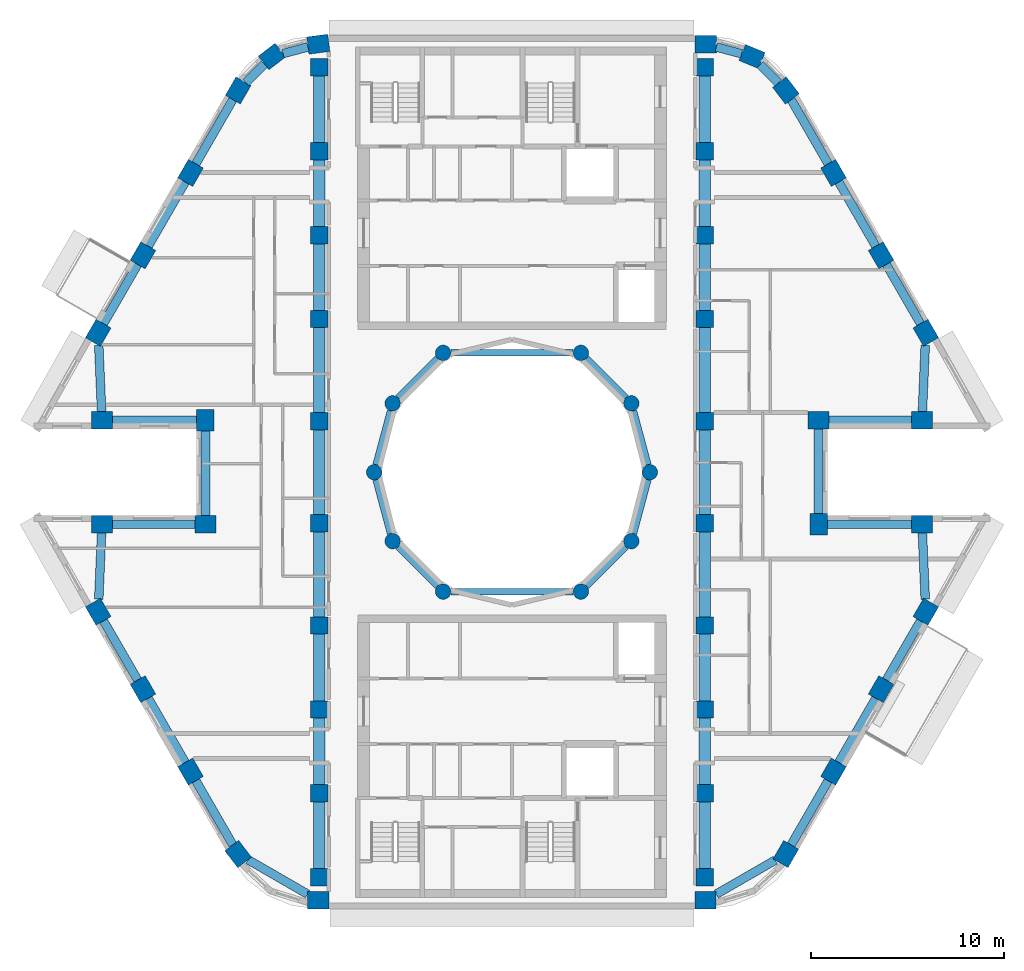
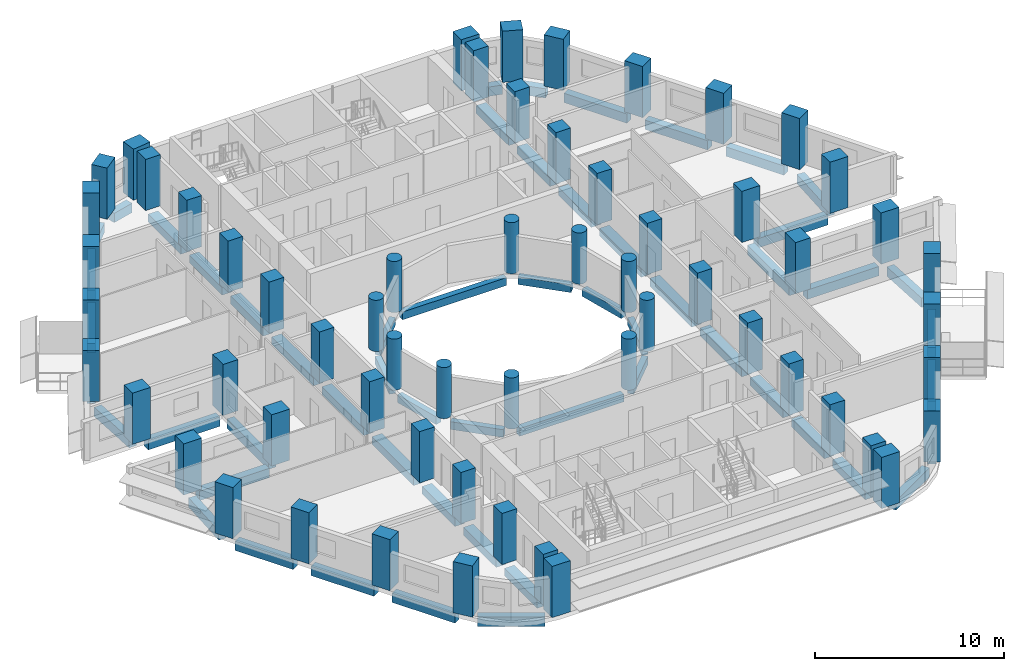
# One storey, part 1 of 14: 60 columns, 56 beams.
"""IFC4 building model written with IfcOpenShell, lengths in metres."""

from ifc_helpers import new_model, si_unit, direction, frame, origin, origin_2d, place, context, subcontext, project, spatial, rectangle, circle, extrude, material, material_profile, profile_set, type_object, element, save


model = new_model("IFC4")

# Units and contexts
model_context = context("Model", 3, precision=1e-05, world=origin(), true_north=direction((0.0, 1.0)))
body_context = subcontext(model_context, "Body", "Model", "MODEL_VIEW")
ifc_project = project(units=[si_unit("LENGTHUNIT", "METRE"), si_unit("AREAUNIT", "SQUARE_METRE"), si_unit("VOLUMEUNIT", "CUBIC_METRE"), si_unit("PLANEANGLEUNIT", "RADIAN"), si_unit("MASSUNIT", "GRAM", prefix="KILO")], contexts=[model_context])

# Site, building, storey
site_placement = place(None, origin())
site = spatial("IfcSite", under=ifc_project, at=site_placement, CompositionType="ELEMENT")
building_placement = place(site_placement, origin())
building = spatial("IfcBuilding", under=site, at=building_placement, Name="Nakaniwa Court", CompositionType="ELEMENT")
storey_placement = place(building_placement, frame((0.0, 0.0, 262.5)))
storey = spatial("IfcBuildingStorey", under=building, at=storey_placement, Name="L69", CompositionType="ELEMENT", Elevation=262.5)

# Columns
ifc_material = material(Name="Concrete C80/100", Category="concrete")
ifc_material_profile_1 = material_profile(ifc_material, rectangle(XDim=1.10009765625, YDim=0.89990234375, at=origin_2d()), Name="Concrete C80/100 RC 1100x900 perimeter column")
ifc_profile_set_1 = profile_set([ifc_material_profile_1], Name="Concrete C80/100")
column_type_1 = type_object("IfcColumnType", Name="Concrete C80/100 RC 1100x900 perimeter column", PredefinedType="COLUMN", material=ifc_profile_set_1)
for number, where, z_axis, x_axis, name in (
    (1, (69.95458984375, 102.199951171875, 0.0), (0.0, 0.0, 1.0), (-0.991442583111, -0.130543496177, 0.0), "COLUMN CO-01"),
    (2, (67.552001953125, 101.560302734375, 0.0), (0.0, 0.0, 1.0), (-0.793363965062, -0.608747582288, 0.0), "COLUMN CO-02"),
    (3, (65.796875, 99.799560546875, 0.0), (0.0, 0.0, 1.0), (-0.5, -0.866025403784, 0.0), "COLUMN CO-03"),
    (4, (63.328857421875, 95.524658203125, 0.0), (0.0, 0.0, 1.0), (-0.5, -0.866025403784, 0.0), "COLUMN CO-04"),
    (5, (60.860595703125, 91.249755859375, 0.0), (0.0, 0.0, 1.0), (-0.5, -0.866025403784, 0.0), "COLUMN CO-05"),
    (6, (58.541015625, 87.232177734375, 0.0), (0.0, 0.0, 1.0), (-0.5, -0.866025403784, 0.0), "COLUMN CO-06"),
    (7, (58.736083984375, 82.699951171875, 0.0), (0.0, 0.0, 1.0), (1.0, 0.0, 0.0), "COLUMN CO-08"),
    (8, (64.1005859375, 82.699951171875, 0.0), (0.0, 0.0, 1.0), (0.0, -1.0, 0.0), "COLUMN CO-09"),
    (9, (64.1005859375, 77.300048828125, 0.0), (0.0, 0.0, 1.0), (-1.0, 0.0, 0.0), "COLUMN CO-10"),
    (10, (58.736083984375, 77.300048828125, 0.0), (0.0, 0.0, 1.0), (-1.0, 0.0, 0.0), "COLUMN CO-11"),
    (11, (58.541015625, 72.767822265625, 0.0), (0.0, 0.0, 1.0), (0.5, -0.866025403784, 0.0), "COLUMN CO-13"),
    (12, (60.860595703125, 68.750244140625, 0.0), (0.0, 0.0, 1.0), (0.5, -0.866025403784, 0.0), "COLUMN CO-14"),
    (13, (63.328857421875, 64.475341796875, 0.0), (0.0, 0.0, 1.0), (0.5, -0.866025403784, 0.0), "COLUMN CO-15"),
    (14, (65.796875, 60.200439453125, 0.0), (0.0, 0.0, 1.0), (0.608761429009, -0.793353340291, 0.0), "COLUMN CO-16"),
    (15, (69.95458984375, 57.800048828125, 0.0), (0.0, 0.0, 1.0), (1.0, 0.0, 0.0), "COLUMN CO-17"),
    (16, (90.03955078125, 57.800048828125, 0.0), (0.0, 0.0, 1.0), (1.0, 0.0, 0.0), "COLUMN CO-21"),
    (17, (94.203125, 60.200439453125, 0.0), (0.0, 0.0, 1.0), (0.5, 0.866025403784, 0.0), "COLUMN CO-22"),
    (18, (96.671142578125, 64.475341796875, 0.0), (0.0, 0.0, 1.0), (0.5, 0.866025403784, 0.0), "COLUMN CO-23"),
    (19, (99.139404296875, 68.750244140625, 0.0), (0.0, 0.0, 1.0), (0.5, 0.866025403784, 0.0), "COLUMN CO-24"),
    (20, (101.458984375, 72.767822265625, 0.0), (0.0, 0.0, 1.0), (0.5, 0.866025403784, 0.0), "COLUMN CO-25"),
    (21, (101.263916015625, 77.300048828125, 0.0), (0.0, 0.0, 1.0), (-1.0, 0.0, 0.0), "COLUMN CO-27"),
    (22, (95.8994140625, 77.300048828125, 0.0), (0.0, 0.0, 1.0), (0.0, 1.0, 0.0), "COLUMN CO-28"),
    (23, (95.8994140625, 82.699951171875, 0.0), (0.0, 0.0, 1.0), (1.0, 0.0, 0.0), "COLUMN CO-29"),
    (24, (101.263916015625, 82.699951171875, 0.0), (0.0, 0.0, 1.0), (1.0, 0.0, 0.0), "COLUMN CO-30"),
    (25, (101.458984375, 87.232177734375, 0.0), (0.0, 0.0, 1.0), (-0.5, 0.866025403784, 0.0), "COLUMN CO-32"),
    (26, (99.139404296875, 91.249755859375, 0.0), (0.0, 0.0, 1.0), (-0.5, 0.866025403784, 0.0), "COLUMN CO-33"),
    (27, (96.671142578125, 95.524658203125, 0.0), (0.0, 0.0, 1.0), (-0.5, 0.866025403784, 0.0), "COLUMN CO-34"),
    (28, (94.203125, 99.799560546875, 0.0), (0.0, 0.0, 1.0), (-0.608761429009, 0.793353340291, 0.0), "COLUMN CO-35"),
    (29, (92.447998046875, 101.560302734375, 0.0), (0.0, 0.0, 1.0), (-0.923879532511, 0.382683432365, 0.0), "COLUMN CO-36"),
    (30, (90.04541015625, 102.199951171875, 0.0), (0.0, 0.0, 1.0), (-1.0, 0.0, 0.0), "COLUMN CO-37"),
):
    element("IfcColumn", number, at=place(storey_placement, frame(where, z_axis=z_axis, x_axis=x_axis)), inside=storey, type_object=column_type_1, Name=name, PredefinedType="COLUMN", context=body_context, shape_type="SweptSolid", body=[
        extrude(rectangle(XDim=1.10009765625, YDim=0.89990234375, at=origin_2d()), origin(), (0.0, 0.0, 1.0), 3.300048828125),
    ])
ifc_material_profile_2 = material_profile(ifc_material, rectangle(XDim=0.89990234375, YDim=0.89990234375, at=origin_2d()), Name="Concrete C80/100 RC 900x900 spine column")
ifc_profile_set_2 = profile_set([ifc_material_profile_2], Name="Concrete C80/100")
column_type_2 = type_object("IfcColumnType", Name="Concrete C80/100 RC 900x900 spine column", PredefinedType="COLUMN", material=ifc_profile_set_2)
for number, where, z_axis, x_axis, name in (
    (31, (90.0, 59.0, 0.0), (0.0, 0.0, 1.0), (0.0, 1.0, 0.0), "COLUMN CS-01"),
    (32, (90.0, 63.35009765625, 0.0), (0.0, 0.0, 1.0), (0.0, 1.0, 0.0), "COLUMN CS-02"),
    (33, (90.0, 67.699951171875, 0.0), (0.0, 0.0, 1.0), (0.0, 1.0, 0.0), "COLUMN CS-03"),
    (34, (90.0, 72.050048828125, 0.0), (0.0, 0.0, 1.0), (0.0, 1.0, 0.0), "COLUMN CS-04"),
    (35, (90.0, 77.35009765625, 0.0), (0.0, 0.0, 1.0), (0.0, 1.0, 0.0), "COLUMN CS-05"),
    (36, (90.0, 82.64990234375, 0.0), (0.0, 0.0, 1.0), (0.0, 1.0, 0.0), "COLUMN CS-06"),
    (37, (90.0, 87.949951171875, 0.0), (0.0, 0.0, 1.0), (0.0, 1.0, 0.0), "COLUMN CS-07"),
    (38, (90.0, 92.300048828125, 0.0), (0.0, 0.0, 1.0), (0.0, 1.0, 0.0), "COLUMN CS-08"),
    (39, (90.0, 96.64990234375, 0.0), (0.0, 0.0, 1.0), (0.0, 1.0, 0.0), "COLUMN CS-09"),
    (40, (90.0, 101.0, 0.0), (0.0, 0.0, 1.0), (0.0, 1.0, 0.0), "COLUMN CS-10"),
    (41, (70.0, 101.0, 0.0), (0.0, 0.0, 1.0), (0.0, -1.0, 0.0), "COLUMN CS-11"),
    (42, (70.0, 96.64990234375, 0.0), (0.0, 0.0, 1.0), (0.0, -1.0, 0.0), "COLUMN CS-12"),
    (43, (70.0, 92.300048828125, 0.0), (0.0, 0.0, 1.0), (0.0, -1.0, 0.0), "COLUMN CS-13"),
    (44, (70.0, 87.949951171875, 0.0), (0.0, 0.0, 1.0), (0.0, -1.0, 0.0), "COLUMN CS-14"),
    (45, (70.0, 82.64990234375, 0.0), (0.0, 0.0, 1.0), (0.0, -1.0, 0.0), "COLUMN CS-15"),
    (46, (70.0, 77.35009765625, 0.0), (0.0, 0.0, 1.0), (0.0, -1.0, 0.0), "COLUMN CS-16"),
    (47, (70.0, 72.050048828125, 0.0), (0.0, 0.0, 1.0), (0.0, -1.0, 0.0), "COLUMN CS-17"),
    (48, (70.0, 67.699951171875, 0.0), (0.0, 0.0, 1.0), (0.0, -1.0, 0.0), "COLUMN CS-18"),
    (49, (70.0, 63.35009765625, 0.0), (0.0, 0.0, 1.0), (0.0, -1.0, 0.0), "COLUMN CS-19"),
    (50, (70.0, 59.0, 0.0), (0.0, 0.0, 1.0), (0.0, -1.0, 0.0), "COLUMN CS-20"),
):
    element("IfcColumn", number, at=place(storey_placement, frame(where, z_axis=z_axis, x_axis=x_axis)), inside=storey, type_object=column_type_2, Name=name, PredefinedType="COLUMN", context=body_context, shape_type="SweptSolid", body=[
        extrude(rectangle(XDim=0.89990234375, YDim=0.89990234375, at=origin_2d()), origin(), (0.0, 0.0, 1.0), 3.300048828125),
    ])
ifc_material_profile_3 = material_profile(ifc_material, circle(Radius=0.39990234375, at=origin_2d()), Name="Concrete C80/100 RC D800 inner ring column")
ifc_profile_set_3 = profile_set([ifc_material_profile_3], Name="Concrete C80/100")
column_type_3 = type_object("IfcColumnType", Name="Concrete C80/100 RC D800 inner ring column", PredefinedType="COLUMN", material=ifc_profile_set_3)
for number, where, z_axis, x_axis, name in (
    (51, (87.14990234375, 80.0, 0.0), (0.0, 0.0, 1.0), (0.0, 1.0, 0.0), "COLUMN CI-01"),
    (52, (86.192138671875, 83.574951171875, 0.0), (0.0, 0.0, 1.0), (-0.5, 0.866025403784, 0.0), "COLUMN CI-02"),
    (53, (83.574951171875, 86.192138671875, 0.0), (0.0, 0.0, 1.0), (-0.866025403784, 0.5, 0.0), "COLUMN CI-03"),
    (54, (76.425048828125, 86.192138671875, 0.0), (0.0, 0.0, 1.0), (-0.866025403784, -0.5, 0.0), "COLUMN CI-05"),
    (55, (73.807861328125, 83.574951171875, 0.0), (0.0, 0.0, 1.0), (-0.5, -0.866025403784, 0.0), "COLUMN CI-06"),
    (56, (72.85009765625, 80.0, 0.0), (0.0, 0.0, 1.0), (0.0, -1.0, 0.0), "COLUMN CI-07"),
    (57, (73.807861328125, 76.425048828125, 0.0), (0.0, 0.0, 1.0), (0.5, -0.866025403784, 0.0), "COLUMN CI-08"),
    (58, (76.425048828125, 73.807861328125, 0.0), (0.0, 0.0, 1.0), (0.866025403784, -0.5, 0.0), "COLUMN CI-09"),
    (59, (83.574951171875, 73.807861328125, 0.0), (0.0, 0.0, 1.0), (0.866025403784, 0.5, 0.0), "COLUMN CI-11"),
    (60, (86.192138671875, 76.425048828125, 0.0), (0.0, 0.0, 1.0), (0.5, 0.866025403784, 0.0), "COLUMN CI-12"),
):
    element("IfcColumn", number, at=place(storey_placement, frame(where, z_axis=z_axis, x_axis=x_axis)), inside=storey, type_object=column_type_3, Name=name, PredefinedType="COLUMN", context=body_context, shape_type="SweptSolid", body=[
        extrude(circle(Radius=0.39990234375, at=origin_2d()), origin(), (0.0, 0.0, 1.0), 3.300048828125),
    ])

# Beams
ifc_material_profile_4 = material_profile(ifc_material, rectangle(XDim=0.35009765625, YDim=0.5, at=origin_2d()), Name="Concrete C80/100 RC 350x500 ring beam")
ifc_profile_set_4 = profile_set([ifc_material_profile_4], Name="Concrete C80/100")
beam_type_1 = type_object("IfcBeamType", Name="Concrete C80/100 RC 350x500 ring beam", PredefinedType="BEAM", material=ifc_profile_set_4)
beam_1_placement = place(storey_placement, frame((87.04638671875, 80.386474609375, -0.52490234375), z_axis=(-0.258778150207, 0.965936783115, 0.0), x_axis=(-0.965936783115, -0.258778150207, 0.0)))
element("IfcBeam", 61, at=beam_1_placement, inside=storey, type_object=beam_type_1, Name="RING BEAM", PredefinedType="BEAM", context=body_context, shape_type="SweptSolid", body=[
    extrude(rectangle(XDim=0.35009765625, YDim=0.5, at=origin_2d()), origin(), (0.0, 0.0, 1.0), 2.901123046875),
])
beam_2_placement = place(storey_placement, frame((85.9091796875, 83.85791015625, -0.52490234375), z_axis=(-0.707106781187, 0.707106781187, 0.0), x_axis=(-0.707106781187, -0.707106781187, 0.0)))
element("IfcBeam", 62, at=beam_2_placement, inside=storey, type_object=beam_type_1, Name="RING BEAM", PredefinedType="BEAM", context=body_context, shape_type="SweptSolid", body=[
    extrude(rectangle(XDim=0.35009765625, YDim=0.5, at=origin_2d()), origin(), (0.0, 0.0, 1.0), 2.90087890625),
])
beam_3_placement = place(storey_placement, frame((83.175048828125, 86.192138671875, -0.52490234375), z_axis=(-1.0, 0.0, 0.0), x_axis=(0.0, -1.0, 0.0)))
element("IfcBeam", 63, at=beam_3_placement, inside=storey, type_object=beam_type_1, Name="RING BEAM", PredefinedType="BEAM", context=body_context, shape_type="SweptSolid", body=[
    extrude(rectangle(XDim=0.35009765625, YDim=0.5, at=origin_2d()), origin(), (0.0, 0.0, 1.0), 6.35009765625),
])
beam_4_placement = place(storey_placement, frame((76.14208984375, 85.9091796875, -0.52490234375), z_axis=(-0.707106781187, -0.707106781187, 0.0), x_axis=(0.707106781187, -0.707106781187, 0.0)))
element("IfcBeam", 64, at=beam_4_placement, inside=storey, type_object=beam_type_1, Name="RING BEAM", PredefinedType="BEAM", context=body_context, shape_type="SweptSolid", body=[
    extrude(rectangle(XDim=0.35009765625, YDim=0.5, at=origin_2d()), origin(), (0.0, 0.0, 1.0), 2.90087890625),
])
for number, where, z_axis, x_axis, name in (
    (65, (73.704345703125, 83.188720703125, -0.52490234375), (-0.258778150207, -0.965936783115, 0.0), (0.965936783115, -0.258778150207, 0.0), "RING BEAM"),
    (66, (72.95361328125, 79.613525390625, -0.52490234375), (0.258778150207, -0.965936783115, 0.0), (0.965936783115, 0.258778150207, 0.0), "RING BEAM"),
):
    element("IfcBeam", number, at=place(storey_placement, frame(where, z_axis=z_axis, x_axis=x_axis)), inside=storey, type_object=beam_type_1, Name=name, PredefinedType="BEAM", context=body_context, shape_type="SweptSolid", body=[
        extrude(rectangle(XDim=0.35009765625, YDim=0.5, at=origin_2d()), origin(), (0.0, 0.0, 1.0), 2.901123046875),
    ])
beam_5_placement = place(storey_placement, frame((74.0908203125, 76.14208984375, -0.52490234375), z_axis=(0.707106781187, -0.707106781187, 0.0), x_axis=(0.707106781187, 0.707106781187, 0.0)))
element("IfcBeam", 67, at=beam_5_placement, inside=storey, type_object=beam_type_1, Name="RING BEAM", PredefinedType="BEAM", context=body_context, shape_type="SweptSolid", body=[
    extrude(rectangle(XDim=0.35009765625, YDim=0.5, at=origin_2d()), origin(), (0.0, 0.0, 1.0), 2.90087890625),
])
beam_6_placement = place(storey_placement, frame((76.824951171875, 73.807861328125, -0.52490234375), z_axis=(1.0, 0.0, 0.0), x_axis=(0.0, 1.0, 0.0)))
element("IfcBeam", 68, at=beam_6_placement, inside=storey, type_object=beam_type_1, Name="RING BEAM", PredefinedType="BEAM", context=body_context, shape_type="SweptSolid", body=[
    extrude(rectangle(XDim=0.35009765625, YDim=0.5, at=origin_2d()), origin(), (0.0, 0.0, 1.0), 6.35009765625),
])
beam_7_placement = place(storey_placement, frame((83.85791015625, 74.0908203125, -0.52490234375), z_axis=(0.707106781187, 0.707106781187, 0.0), x_axis=(-0.707106781187, 0.707106781187, 0.0)))
element("IfcBeam", 69, at=beam_7_placement, inside=storey, type_object=beam_type_1, Name="RING BEAM", PredefinedType="BEAM", context=body_context, shape_type="SweptSolid", body=[
    extrude(rectangle(XDim=0.35009765625, YDim=0.5, at=origin_2d()), origin(), (0.0, 0.0, 1.0), 2.90087890625),
])
beam_8_placement = place(storey_placement, frame((86.295654296875, 76.811279296875, -0.52490234375), z_axis=(0.258778150207, 0.965936783115, 0.0), x_axis=(-0.965936783115, 0.258778150207, 0.0)))
element("IfcBeam", 70, at=beam_8_placement, inside=storey, type_object=beam_type_1, Name="RING BEAM", PredefinedType="BEAM", context=body_context, shape_type="SweptSolid", body=[
    extrude(rectangle(XDim=0.35009765625, YDim=0.5, at=origin_2d()), origin(), (0.0, 0.0, 1.0), 2.901123046875),
])
ifc_material_profile_5 = material_profile(ifc_material, rectangle(XDim=0.449951171875, YDim=0.60009765625, at=origin_2d()), Name="Concrete C80/100 RC 450x600 spandrel beam")
ifc_profile_set_5 = profile_set([ifc_material_profile_5], Name="Concrete C80/100")
beam_type_2 = type_object("IfcBeamType", Name="Concrete C80/100 RC 450x600 spandrel beam", PredefinedType="BEAM", material=ifc_profile_set_5)
beam_9_placement = place(storey_placement, frame((69.418701171875, 102.057373046875, -0.574951171875), z_axis=(-0.966286479475, -0.257469298332, 0.0), x_axis=(0.257469298332, -0.966286479475, 0.0)))
element("IfcBeam", 71, at=beam_9_placement, inside=storey, type_object=beam_type_2, Name="SPANDREL BEAM", PredefinedType="BEAM", context=body_context, shape_type="SweptSolid", body=[
    extrude(rectangle(XDim=0.449951171875, YDim=0.60009765625, at=origin_2d()), origin(), (0.0, 0.0, 1.0), 1.3359375),
])
beam_10_placement = place(storey_placement, frame((67.160400390625, 101.167236328125, -0.574951171875), z_axis=(-0.706030517025, -0.708181409689, 0.0), x_axis=(0.708181409689, -0.706030517025, 0.0)))
element("IfcBeam", 72, at=beam_10_placement, inside=storey, type_object=beam_type_2, Name="SPANDREL BEAM", PredefinedType="BEAM", context=body_context, shape_type="SweptSolid", body=[
    extrude(rectangle(XDim=0.449951171875, YDim=0.60009765625, at=origin_2d()), origin(), (0.0, 0.0, 1.0), 1.362060546875),
])
for number, where, z_axis, x_axis, name in (
    (73, (65.52197265625, 99.3232421875, -0.574951171875), (-0.50001992892, -0.866013897511, 0.0), (0.866013897511, -0.50001992892, 0.0), "SPANDREL BEAM"),
    (74, (63.0537109375, 95.04833984375, -0.574951171875), (-0.499972197867, -0.866041454758, 0.0), (0.866041454758, -0.499972197867, 0.0), "SPANDREL BEAM"),
):
    element("IfcBeam", number, at=place(storey_placement, frame(where, z_axis=z_axis, x_axis=x_axis)), inside=storey, type_object=beam_type_2, Name=name, PredefinedType="BEAM", context=body_context, shape_type="SweptSolid", body=[
        extrude(rectangle(XDim=0.449951171875, YDim=0.60009765625, at=origin_2d()), origin(), (0.0, 0.0, 1.0), 3.836181640625),
    ])
beam_11_placement = place(storey_placement, frame((60.585693359375, 90.7734375, -0.574951171875), z_axis=(-0.499997139945, -0.866027055032, 0.0), x_axis=(0.866027055032, -0.499997139945, 0.0)))
element("IfcBeam", 75, at=beam_11_placement, inside=storey, type_object=beam_type_2, Name="SPANDREL BEAM", PredefinedType="BEAM", context=body_context, shape_type="SweptSolid", body=[
    extrude(rectangle(XDim=0.449951171875, YDim=0.60009765625, at=origin_2d()), origin(), (0.0, 0.0, 1.0), 3.5390625),
])
beam_12_placement = place(storey_placement, frame((58.569091796875, 86.580810546875, -0.574951171875), z_axis=(0.042940503042, -0.999077631217, 0.0), x_axis=(0.999077631217, 0.042940503042, 0.0)))
element("IfcBeam", 76, at=beam_12_placement, inside=storey, type_object=beam_type_2, Name="SPANDREL BEAM", PredefinedType="BEAM", context=body_context, shape_type="SweptSolid", body=[
    extrude(rectangle(XDim=0.449951171875, YDim=0.60009765625, at=origin_2d()), origin(), (0.0, 0.0, 1.0), 3.43408203125),
])
beam_13_placement = place(storey_placement, frame((59.285888671875, 82.699951171875, -0.574951171875), z_axis=(1.0, 0.0, 0.0), x_axis=(0.0, 1.0, 0.0)))
element("IfcBeam", 77, at=beam_13_placement, inside=storey, type_object=beam_type_2, Name="SPANDREL BEAM", PredefinedType="BEAM", context=body_context, shape_type="SweptSolid", body=[
    extrude(rectangle(XDim=0.449951171875, YDim=0.60009765625, at=origin_2d()), origin(), (0.0, 0.0, 1.0), 4.364501953125),
])
beam_14_placement = place(storey_placement, frame((64.1005859375, 82.14990234375, -0.574951171875), z_axis=(0.0, -1.0, 0.0), x_axis=(1.0, 0.0, 0.0)))
element("IfcBeam", 78, at=beam_14_placement, inside=storey, type_object=beam_type_2, Name="SPANDREL BEAM", PredefinedType="BEAM", context=body_context, shape_type="SweptSolid", body=[
    extrude(rectangle(XDim=0.449951171875, YDim=0.60009765625, at=origin_2d()), origin(), (0.0, 0.0, 1.0), 4.39990234375),
])
beam_15_placement = place(storey_placement, frame((63.550537109375, 77.300048828125, -0.574951171875), z_axis=(-1.0, 0.0, 0.0), x_axis=(0.0, -1.0, 0.0)))
element("IfcBeam", 79, at=beam_15_placement, inside=storey, type_object=beam_type_2, Name="SPANDREL BEAM", PredefinedType="BEAM", context=body_context, shape_type="SweptSolid", body=[
    extrude(rectangle(XDim=0.449951171875, YDim=0.60009765625, at=origin_2d()), origin(), (0.0, 0.0, 1.0), 4.2646484375),
])
beam_16_placement = place(storey_placement, frame((58.716552734375, 76.85009765625, -0.574951171875), z_axis=(-0.042940503042, -0.999077631217, 0.0), x_axis=(0.999077631217, -0.042940503042, 0.0)))
element("IfcBeam", 80, at=beam_16_placement, inside=storey, type_object=beam_type_2, Name="SPANDREL BEAM", PredefinedType="BEAM", context=body_context, shape_type="SweptSolid", body=[
    extrude(rectangle(XDim=0.449951171875, YDim=0.60009765625, at=origin_2d()), origin(), (0.0, 0.0, 1.0), 3.43408203125),
])
beam_17_placement = place(storey_placement, frame((58.816162109375, 72.29150390625, -0.574951171875), z_axis=(0.499997139945, -0.866027055032, 0.0), x_axis=(0.866027055032, 0.499997139945, 0.0)))
element("IfcBeam", 81, at=beam_17_placement, inside=storey, type_object=beam_type_2, Name="SPANDREL BEAM", PredefinedType="BEAM", context=body_context, shape_type="SweptSolid", body=[
    extrude(rectangle(XDim=0.449951171875, YDim=0.60009765625, at=origin_2d()), origin(), (0.0, 0.0, 1.0), 3.5390625),
])
beam_18_placement = place(storey_placement, frame((61.1357421875, 68.27392578125, -0.574951171875), z_axis=(0.499972197867, -0.866041454758, 0.0), x_axis=(0.866041454758, 0.499972197867, 0.0)))
element("IfcBeam", 82, at=beam_18_placement, inside=storey, type_object=beam_type_2, Name="SPANDREL BEAM", PredefinedType="BEAM", context=body_context, shape_type="SweptSolid", body=[
    extrude(rectangle(XDim=0.449951171875, YDim=0.60009765625, at=origin_2d()), origin(), (0.0, 0.0, 1.0), 3.836181640625),
])
beam_19_placement = place(storey_placement, frame((63.603759765625, 63.9990234375, -0.574951171875), z_axis=(0.500011110731, -0.866018988906, 0.0), x_axis=(0.866018988906, 0.500011110731, 0.0)))
element("IfcBeam", 83, at=beam_19_placement, inside=storey, type_object=beam_type_2, Name="SPANDREL BEAM", PredefinedType="BEAM", context=body_context, shape_type="SweptSolid", body=[
    extrude(rectangle(XDim=0.449951171875, YDim=0.60009765625, at=origin_2d()), origin(), (0.0, 0.0, 1.0), 3.83154296875),
])
beam_20_placement = place(storey_placement, frame((66.3125, 59.90283203125, -0.574951171875), z_axis=(0.866017069707, -0.500014434768, 0.0), x_axis=(0.500014434768, 0.866017069707, 0.0)))
element("IfcBeam", 84, at=beam_20_placement, inside=storey, type_object=beam_type_2, Name="SPANDREL BEAM", PredefinedType="BEAM", context=body_context, shape_type="SweptSolid", body=[
    extrude(rectangle(XDim=0.449951171875, YDim=0.60009765625, at=origin_2d()), origin(), (0.0, 0.0, 1.0), 3.57080078125),
])
beam_21_placement = place(storey_placement, frame((90.589599609375, 58.1171875, -0.574951171875), z_axis=(0.866307414098, 0.499511225378, 0.0), x_axis=(-0.499511225378, 0.866307414098, 0.0)))
element("IfcBeam", 85, at=beam_21_placement, inside=storey, type_object=beam_type_2, Name="SPANDREL BEAM", PredefinedType="BEAM", context=body_context, shape_type="SweptSolid", body=[
    extrude(rectangle(XDim=0.449951171875, YDim=0.60009765625, at=origin_2d()), origin(), (0.0, 0.0, 1.0), 3.53564453125),
])
for number, where, z_axis, x_axis, name in (
    (86, (94.47802734375, 60.6767578125, -0.574951171875), (0.50001992892, 0.866013897511, 0.0), (-0.866013897511, 0.50001992892, 0.0), "SPANDREL BEAM"),
    (87, (96.9462890625, 64.95166015625, -0.574951171875), (0.499972197867, 0.866041454758, 0.0), (-0.866041454758, 0.499972197867, 0.0), "SPANDREL BEAM"),
):
    element("IfcBeam", number, at=place(storey_placement, frame(where, z_axis=z_axis, x_axis=x_axis)), inside=storey, type_object=beam_type_2, Name=name, PredefinedType="BEAM", context=body_context, shape_type="SweptSolid", body=[
        extrude(rectangle(XDim=0.449951171875, YDim=0.60009765625, at=origin_2d()), origin(), (0.0, 0.0, 1.0), 3.836181640625),
    ])
beam_22_placement = place(storey_placement, frame((99.414306640625, 69.2265625, -0.574951171875), z_axis=(0.499997139945, 0.866027055032, 0.0), x_axis=(-0.866027055032, 0.499997139945, 0.0)))
element("IfcBeam", 88, at=beam_22_placement, inside=storey, type_object=beam_type_2, Name="SPANDREL BEAM", PredefinedType="BEAM", context=body_context, shape_type="SweptSolid", body=[
    extrude(rectangle(XDim=0.449951171875, YDim=0.60009765625, at=origin_2d()), origin(), (0.0, 0.0, 1.0), 3.5390625),
])
beam_23_placement = place(storey_placement, frame((101.430908203125, 73.419189453125, -0.574951171875), z_axis=(-0.042940503042, 0.999077631217, 0.0), x_axis=(-0.999077631217, -0.042940503042, 0.0)))
element("IfcBeam", 89, at=beam_23_placement, inside=storey, type_object=beam_type_2, Name="SPANDREL BEAM", PredefinedType="BEAM", context=body_context, shape_type="SweptSolid", body=[
    extrude(rectangle(XDim=0.449951171875, YDim=0.60009765625, at=origin_2d()), origin(), (0.0, 0.0, 1.0), 3.43408203125),
])
beam_24_placement = place(storey_placement, frame((100.714111328125, 77.300048828125, -0.574951171875), z_axis=(-1.0, 0.0, 0.0), x_axis=(0.0, -1.0, 0.0)))
element("IfcBeam", 90, at=beam_24_placement, inside=storey, type_object=beam_type_2, Name="SPANDREL BEAM", PredefinedType="BEAM", context=body_context, shape_type="SweptSolid", body=[
    extrude(rectangle(XDim=0.449951171875, YDim=0.60009765625, at=origin_2d()), origin(), (0.0, 0.0, 1.0), 4.364501953125),
])
beam_25_placement = place(storey_placement, frame((95.8994140625, 77.85009765625, -0.574951171875), z_axis=(0.0, 1.0, 0.0), x_axis=(-1.0, 0.0, 0.0)))
element("IfcBeam", 91, at=beam_25_placement, inside=storey, type_object=beam_type_2, Name="SPANDREL BEAM", PredefinedType="BEAM", context=body_context, shape_type="SweptSolid", body=[
    extrude(rectangle(XDim=0.449951171875, YDim=0.60009765625, at=origin_2d()), origin(), (0.0, 0.0, 1.0), 4.39990234375),
])
beam_26_placement = place(storey_placement, frame((96.449462890625, 82.699951171875, -0.574951171875), z_axis=(1.0, 0.0, 0.0), x_axis=(0.0, 1.0, 0.0)))
element("IfcBeam", 92, at=beam_26_placement, inside=storey, type_object=beam_type_2, Name="SPANDREL BEAM", PredefinedType="BEAM", context=body_context, shape_type="SweptSolid", body=[
    extrude(rectangle(XDim=0.449951171875, YDim=0.60009765625, at=origin_2d()), origin(), (0.0, 0.0, 1.0), 4.2646484375),
])
beam_27_placement = place(storey_placement, frame((101.283447265625, 83.14990234375, -0.574951171875), z_axis=(0.042940503042, 0.999077631217, 0.0), x_axis=(-0.999077631217, 0.042940503042, 0.0)))
element("IfcBeam", 93, at=beam_27_placement, inside=storey, type_object=beam_type_2, Name="SPANDREL BEAM", PredefinedType="BEAM", context=body_context, shape_type="SweptSolid", body=[
    extrude(rectangle(XDim=0.449951171875, YDim=0.60009765625, at=origin_2d()), origin(), (0.0, 0.0, 1.0), 3.43408203125),
])
beam_28_placement = place(storey_placement, frame((101.183837890625, 87.70849609375, -0.574951171875), z_axis=(-0.499997139945, 0.866027055032, 0.0), x_axis=(-0.866027055032, -0.499997139945, 0.0)))
element("IfcBeam", 94, at=beam_28_placement, inside=storey, type_object=beam_type_2, Name="SPANDREL BEAM", PredefinedType="BEAM", context=body_context, shape_type="SweptSolid", body=[
    extrude(rectangle(XDim=0.449951171875, YDim=0.60009765625, at=origin_2d()), origin(), (0.0, 0.0, 1.0), 3.5390625),
])
beam_29_placement = place(storey_placement, frame((98.8642578125, 91.72607421875, -0.574951171875), z_axis=(-0.499972197867, 0.866041454758, 0.0), x_axis=(-0.866041454758, -0.499972197867, 0.0)))
element("IfcBeam", 95, at=beam_29_placement, inside=storey, type_object=beam_type_2, Name="SPANDREL BEAM", PredefinedType="BEAM", context=body_context, shape_type="SweptSolid", body=[
    extrude(rectangle(XDim=0.449951171875, YDim=0.60009765625, at=origin_2d()), origin(), (0.0, 0.0, 1.0), 3.836181640625),
])
beam_30_placement = place(storey_placement, frame((96.396240234375, 96.0009765625, -0.574951171875), z_axis=(-0.500011110731, 0.866018988906, 0.0), x_axis=(-0.866018988906, -0.500011110731, 0.0)))
element("IfcBeam", 96, at=beam_30_placement, inside=storey, type_object=beam_type_2, Name="SPANDREL BEAM", PredefinedType="BEAM", context=body_context, shape_type="SweptSolid", body=[
    extrude(rectangle(XDim=0.449951171875, YDim=0.60009765625, at=origin_2d()), origin(), (0.0, 0.0, 1.0), 3.83154296875),
])
beam_31_placement = place(storey_placement, frame((93.8115234375, 100.1923828125, -0.574951171875), z_axis=(-0.706100745773, 0.708111387296, 0.0), x_axis=(-0.708111387296, -0.706100745773, 0.0)))
element("IfcBeam", 97, at=beam_31_placement, inside=storey, type_object=beam_type_2, Name="SPANDREL BEAM", PredefinedType="BEAM", context=body_context, shape_type="SweptSolid", body=[
    extrude(rectangle(XDim=0.449951171875, YDim=0.60009765625, at=origin_2d()), origin(), (0.0, 0.0, 1.0), 1.335693359375),
])
beam_32_placement = place(storey_placement, frame((91.91162109375, 101.702880859375, -0.574951171875), z_axis=(-0.966318174979, 0.257350315146, 0.0), x_axis=(-0.257350315146, -0.966318174979, 0.0)))
element("IfcBeam", 98, at=beam_32_placement, inside=storey, type_object=beam_type_2, Name="SPANDREL BEAM", PredefinedType="BEAM", context=body_context, shape_type="SweptSolid", body=[
    extrude(rectangle(XDim=0.449951171875, YDim=0.60009765625, at=origin_2d()), origin(), (0.0, 0.0, 1.0), 1.3623046875),
])
ifc_material_profile_6 = material_profile(ifc_material, rectangle(XDim=0.60009765625, YDim=0.5, at=origin_2d()), Name="Concrete C80/100 RC 600x500 ring beam")
ifc_profile_set_6 = profile_set([ifc_material_profile_6], Name="Concrete C80/100")
beam_type_3 = type_object("IfcBeamType", Name="Concrete C80/100 RC 600x500 ring beam", PredefinedType="BEAM", material=ifc_profile_set_6)
for number, where, z_axis, x_axis, name in (
    (99, (90.0, 59.449951171875, -0.52490234375), (0.0, 1.0, 0.0), (-1.0, 0.0, 0.0), "RING BEAM"),
    (100, (90.0, 63.800048828125, -0.52490234375), (0.0, 1.0, 0.0), (-1.0, 0.0, 0.0), "RING BEAM"),
):
    element("IfcBeam", number, at=place(storey_placement, frame(where, z_axis=z_axis, x_axis=x_axis)), inside=storey, type_object=beam_type_3, Name=name, PredefinedType="BEAM", context=body_context, shape_type="SweptSolid", body=[
        extrude(rectangle(XDim=0.60009765625, YDim=0.5, at=origin_2d()), origin(), (0.0, 0.0, 1.0), 3.449951171875),
    ])
beam_33_placement = place(storey_placement, frame((90.0, 68.14990234375, -0.52490234375), z_axis=(0.0, 1.0, 0.0), x_axis=(-1.0, 0.0, 0.0)))
element("IfcBeam", 101, at=beam_33_placement, inside=storey, type_object=beam_type_3, Name="RING BEAM", PredefinedType="BEAM", context=body_context, shape_type="SweptSolid", body=[
    extrude(rectangle(XDim=0.60009765625, YDim=0.5, at=origin_2d()), origin(), (0.0, 0.0, 1.0), 3.4501953125),
])
for number, where, z_axis, x_axis, name in (
    (102, (90.0, 72.5, -0.52490234375), (0.0, 1.0, 0.0), (-1.0, 0.0, 0.0), "RING BEAM"),
    (103, (90.0, 77.800048828125, -0.52490234375), (0.0, 1.0, 0.0), (-1.0, 0.0, 0.0), "RING BEAM"),
    (104, (90.0, 83.10009765625, -0.52490234375), (0.0, 1.0, 0.0), (-1.0, 0.0, 0.0), "RING BEAM"),
):
    element("IfcBeam", number, at=place(storey_placement, frame(where, z_axis=z_axis, x_axis=x_axis)), inside=storey, type_object=beam_type_3, Name=name, PredefinedType="BEAM", context=body_context, shape_type="SweptSolid", body=[
        extrude(rectangle(XDim=0.60009765625, YDim=0.5, at=origin_2d()), origin(), (0.0, 0.0, 1.0), 4.39990234375),
    ])
beam_34_placement = place(storey_placement, frame((90.0, 88.39990234375, -0.52490234375), z_axis=(0.0, 1.0, 0.0), x_axis=(-1.0, 0.0, 0.0)))
element("IfcBeam", 105, at=beam_34_placement, inside=storey, type_object=beam_type_3, Name="RING BEAM", PredefinedType="BEAM", context=body_context, shape_type="SweptSolid", body=[
    extrude(rectangle(XDim=0.60009765625, YDim=0.5, at=origin_2d()), origin(), (0.0, 0.0, 1.0), 3.4501953125),
])
for number, where, z_axis, x_axis, name in (
    (106, (90.0, 92.75, -0.52490234375), (0.0, 1.0, 0.0), (-1.0, 0.0, 0.0), "RING BEAM"),
    (107, (90.0, 97.10009765625, -0.52490234375), (0.0, 1.0, 0.0), (-1.0, 0.0, 0.0), "RING BEAM"),
    (108, (70.0, 100.550048828125, -0.52490234375), (0.0, -1.0, 0.0), (1.0, 0.0, 0.0), "RING BEAM"),
    (109, (70.0, 96.199951171875, -0.52490234375), (0.0, -1.0, 0.0), (1.0, 0.0, 0.0), "RING BEAM"),
):
    element("IfcBeam", number, at=place(storey_placement, frame(where, z_axis=z_axis, x_axis=x_axis)), inside=storey, type_object=beam_type_3, Name=name, PredefinedType="BEAM", context=body_context, shape_type="SweptSolid", body=[
        extrude(rectangle(XDim=0.60009765625, YDim=0.5, at=origin_2d()), origin(), (0.0, 0.0, 1.0), 3.449951171875),
    ])
beam_35_placement = place(storey_placement, frame((70.0, 91.85009765625, -0.52490234375), z_axis=(0.0, -1.0, 0.0), x_axis=(1.0, 0.0, 0.0)))
element("IfcBeam", 110, at=beam_35_placement, inside=storey, type_object=beam_type_3, Name="RING BEAM", PredefinedType="BEAM", context=body_context, shape_type="SweptSolid", body=[
    extrude(rectangle(XDim=0.60009765625, YDim=0.5, at=origin_2d()), origin(), (0.0, 0.0, 1.0), 3.4501953125),
])
for number, where, z_axis, x_axis, name in (
    (111, (70.0, 87.5, -0.52490234375), (0.0, -1.0, 0.0), (1.0, 0.0, 0.0), "RING BEAM"),
    (112, (70.0, 82.199951171875, -0.52490234375), (0.0, -1.0, 0.0), (1.0, 0.0, 0.0), "RING BEAM"),
    (113, (70.0, 76.89990234375, -0.52490234375), (0.0, -1.0, 0.0), (1.0, 0.0, 0.0), "RING BEAM"),
):
    element("IfcBeam", number, at=place(storey_placement, frame(where, z_axis=z_axis, x_axis=x_axis)), inside=storey, type_object=beam_type_3, Name=name, PredefinedType="BEAM", context=body_context, shape_type="SweptSolid", body=[
        extrude(rectangle(XDim=0.60009765625, YDim=0.5, at=origin_2d()), origin(), (0.0, 0.0, 1.0), 4.39990234375),
    ])
beam_36_placement = place(storey_placement, frame((70.0, 71.60009765625, -0.52490234375), z_axis=(0.0, -1.0, 0.0), x_axis=(1.0, 0.0, 0.0)))
element("IfcBeam", 114, at=beam_36_placement, inside=storey, type_object=beam_type_3, Name="RING BEAM", PredefinedType="BEAM", context=body_context, shape_type="SweptSolid", body=[
    extrude(rectangle(XDim=0.60009765625, YDim=0.5, at=origin_2d()), origin(), (0.0, 0.0, 1.0), 3.4501953125),
])
for number, where, z_axis, x_axis, name in (
    (115, (70.0, 67.25, -0.52490234375), (0.0, -1.0, 0.0), (1.0, 0.0, 0.0), "RING BEAM"),
    (116, (70.0, 62.89990234375, -0.52490234375), (0.0, -1.0, 0.0), (1.0, 0.0, 0.0), "RING BEAM"),
):
    element("IfcBeam", number, at=place(storey_placement, frame(where, z_axis=z_axis, x_axis=x_axis)), inside=storey, type_object=beam_type_3, Name=name, PredefinedType="BEAM", context=body_context, shape_type="SweptSolid", body=[
        extrude(rectangle(XDim=0.60009765625, YDim=0.5, at=origin_2d()), origin(), (0.0, 0.0, 1.0), 3.449951171875),
    ])

save(model, "model.ifc")
